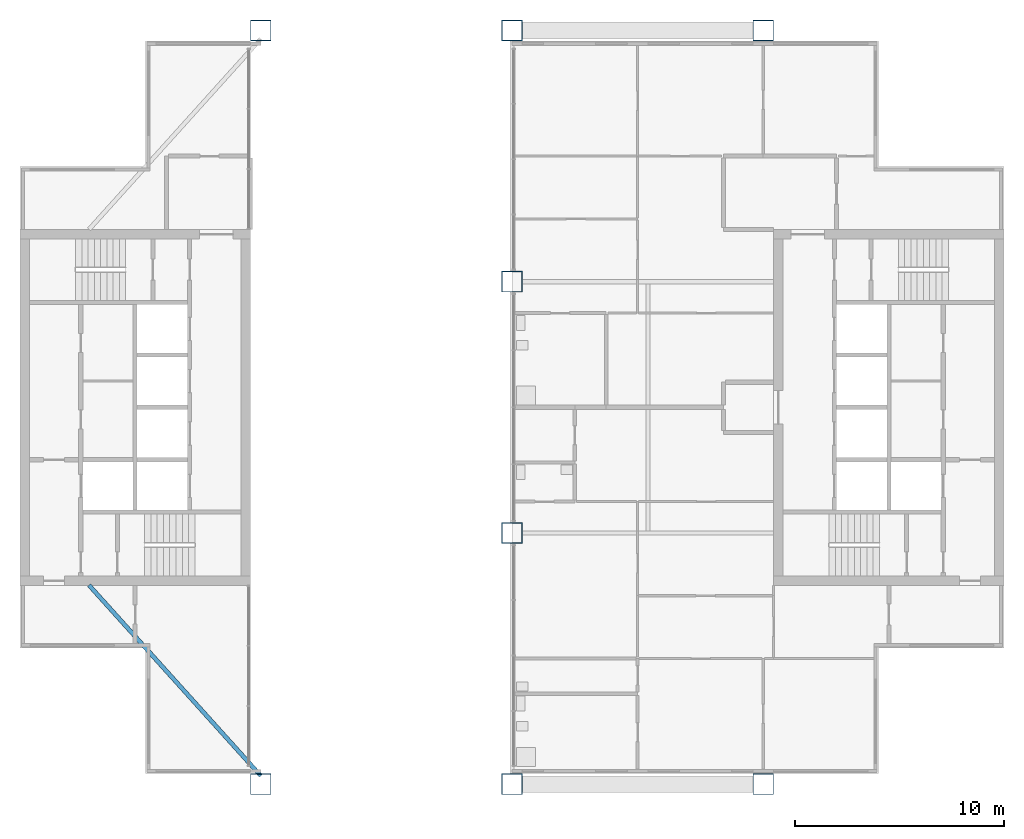
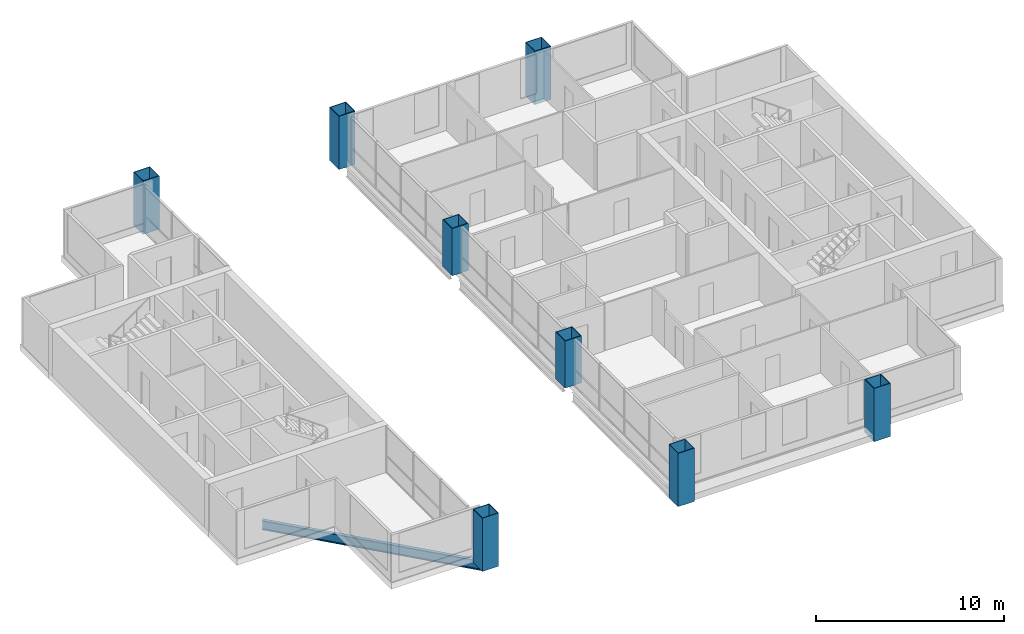
# One storey, part 1 of 13: 8 columns, 1 beam.
"""IFC4 building model written with IfcOpenShell, lengths in metres."""

from ifc_helpers import new_model, si_unit, direction, frame, origin, origin_2d, place, context, subcontext, project, spatial, hollow_rectangle, i_section, extrude, material, material_profile, profile_set, type_object, element, save


model = new_model("IFC4")

# Units and contexts
model_context = context("Model", 3, precision=1e-05, world=origin(), true_north=direction((0.0, 1.0)))
body_context = subcontext(model_context, "Body", "Model", "MODEL_VIEW")
ifc_project = project(units=[si_unit("LENGTHUNIT", "METRE"), si_unit("AREAUNIT", "SQUARE_METRE"), si_unit("VOLUMEUNIT", "CUBIC_METRE"), si_unit("PLANEANGLEUNIT", "RADIAN"), si_unit("MASSUNIT", "GRAM", prefix="KILO")], contexts=[model_context])

# Site, building, storey
site_placement = place(None, origin())
site = spatial("IfcSite", under=ifc_project, at=site_placement, CompositionType="ELEMENT")
building_placement = place(site_placement, origin())
building = spatial("IfcBuilding", under=site, at=building_placement, Name="Kitamizu Gate Tower and Museum", CompositionType="ELEMENT")
storey_placement = place(building_placement, frame((0.0, 0.0, 252.449951171875)))
storey = spatial("IfcBuildingStorey", under=building, at=storey_placement, Name="L68", CompositionType="ELEMENT", Elevation=252.449951171875)

# Columns
ifc_material_1 = material(Name="Steel SM490A bronze coated", Category="steel")
ifc_material_profile_1 = material_profile(ifc_material_1, hollow_rectangle(XDim=1.0, YDim=1.0, WallThickness=0.035888671875, at=origin_2d()), Name="BOX 1000x1000x36")
ifc_profile_set_1 = profile_set([ifc_material_profile_1], Name="Steel SM490A bronze coated")
column_type_1 = type_object("IfcColumnType", Name="Exoskeleton column XC9 BOX 1000x1000x36", PredefinedType="COLUMN", material=ifc_profile_set_1)
for number, where, z_axis, x_axis, name in (
    (1, (24.0, 12.0, -0.39990234375), (0.0, 0.0, 1.0), (1.0, 0.0, 0.0), "Column XC9 3B L68"),
    (2, (24.0, 48.0, -0.39990234375), (0.0, 0.0, 1.0), (1.0, 0.0, 0.0), "Column XC9 3E L68"),
    (3, (36.0, 12.0, -0.39990234375), (0.0, 0.0, 1.0), (1.0, 0.0, 0.0), "Column XC9 4B L68"),
    (4, (36.0, 48.0, -0.39990234375), (0.0, 0.0, 1.0), (1.0, 0.0, 0.0), "Column XC9 4E L68"),
    (5, (48.0, 12.0, -0.39990234375), (0.0, 0.0, 1.0), (1.0, 0.0, 0.0), "Column XC9 5B L68"),
    (6, (48.0, 48.0, -0.39990234375), (0.0, 0.0, 1.0), (1.0, 0.0, 0.0), "Column XC9 5E L68"),
):
    element("IfcColumn", number, at=place(storey_placement, frame(where, z_axis=z_axis, x_axis=x_axis)), inside=storey, type_object=column_type_1, Name=name, PredefinedType="COLUMN", context=body_context, shape_type="SweptSolid", body=[
        extrude(hollow_rectangle(XDim=1.0, YDim=1.0, WallThickness=0.035888671875, at=origin_2d()), origin(), (0.0, 0.0, 1.0), 3.449951171875),
    ])
ifc_material_2 = material(Name="Steel SM490A", Category="steel")
ifc_material_profile_2 = material_profile(ifc_material_2, hollow_rectangle(XDim=1.0, YDim=1.0, WallThickness=0.0400390625, at=origin_2d()), Name="BOX 1000x1000x40")
ifc_profile_set_2 = profile_set([ifc_material_profile_2], Name="Steel SM490A")
column_type_2 = type_object("IfcColumnType", Name="Interior column IC5 BOX 1000x1000x40", PredefinedType="COLUMN", material=ifc_profile_set_2)
for number, where, z_axis, x_axis, name in (
    (7, (36.0, 24.0, 0.0), (0.0, 0.0, 1.0), (1.0, 0.0, 0.0), "Column IC5 4C L68"),
    (8, (36.0, 36.0, 0.0), (0.0, 0.0, 1.0), (1.0, 0.0, 0.0), "Column IC5 4D L68"),
):
    element("IfcColumn", number, at=place(storey_placement, frame(where, z_axis=z_axis, x_axis=x_axis)), inside=storey, type_object=column_type_2, Name=name, PredefinedType="COLUMN", context=body_context, shape_type="SweptSolid", body=[
        extrude(hollow_rectangle(XDim=1.0, YDim=1.0, WallThickness=0.0400390625, at=origin_2d()), origin(), (0.0, 0.0, 1.0), 3.050048828125),
    ])

# Beam
ifc_material_3 = material(Name="Steel SM490A", Category="steel")
ifc_material_profile_3 = material_profile(ifc_material_3, i_section(OverallWidth=0.199951171875, OverallDepth=0.60009765625, WebThickness=0.010986328125, FlangeThickness=0.01708984375, FilletRadius=0.02197265625, at=origin_2d()), Name="H-600x200x11x17")
ifc_profile_set_3 = profile_set([ifc_material_profile_3], Name="Steel SM490A")
beam_type = type_object("IfcBeamType", Name="Floor girder FG1 H 600x200x11x17", PredefinedType="BEAM", material=ifc_profile_set_3)
beam_placement = place(storey_placement, frame((24.0, 12.39990234375, -0.699951171875), z_axis=(-0.669409471884, 0.742893639057, 0.0), x_axis=(-0.742893639057, -0.669409471884, 0.0)))
element("IfcBeam", 9, at=beam_placement, inside=storey, type_object=beam_type, Name="Portal flank girder S L68", PredefinedType="BEAM", context=body_context, shape_type="SweptSolid", body=[
    extrude(i_section(OverallWidth=0.199951171875, OverallDepth=0.60009765625, WebThickness=0.010986328125, FlangeThickness=0.01708984375, FilletRadius=0.02197265625, at=origin_2d()), origin(), (0.0, 0.0, 1.0), 12.24951171875),
])

save(model, "model.ifc")
